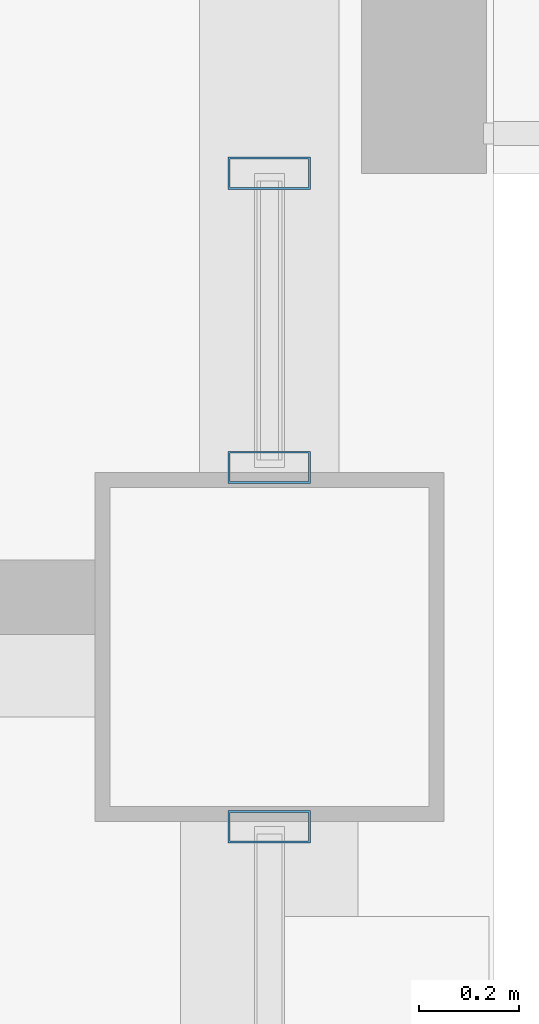
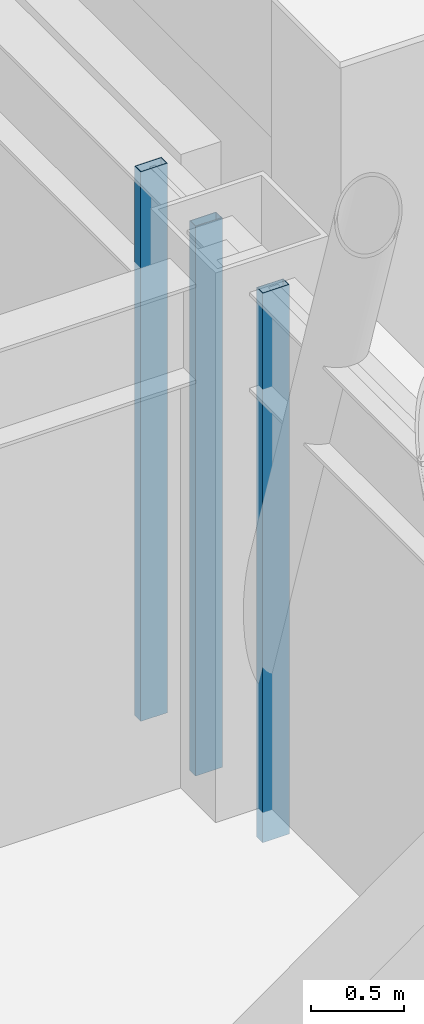
# One storey, part 16 of 33: 3 members, 2 elements without a shape of their own.
"""IFC4 building model written with IfcOpenShell, lengths in metres."""

from ifc_helpers import new_model, si_unit, direction, frame, origin, origin_2d, place, context, subcontext, project, spatial, hollow_rectangle, extrude, material, layer, layer_set, material_profile, profile_set, type_object, element, aggregate, save


model = new_model("IFC4")

# Units and contexts
model_context = context("Model", 3, precision=1e-05, world=origin(), true_north=direction((0.0, 1.0)))
body_context = subcontext(model_context, "Body", "Model", "MODEL_VIEW")
ifc_project = project(units=[si_unit("LENGTHUNIT", "METRE"), si_unit("AREAUNIT", "SQUARE_METRE"), si_unit("VOLUMEUNIT", "CUBIC_METRE"), si_unit("PLANEANGLEUNIT", "RADIAN"), si_unit("MASSUNIT", "GRAM", prefix="KILO")], contexts=[model_context])

# Site, building, storey
site_placement = place(None, origin())
site = spatial("IfcSite", under=ifc_project, at=site_placement, CompositionType="ELEMENT")
building_placement = place(site_placement, origin())
building = spatial("IfcBuilding", under=site, at=building_placement, Name="Brelmoor Portico Tower", CompositionType="ELEMENT")
storey_placement = place(building_placement, frame((0.0, 0.0, 194.699951171875)))
storey = spatial("IfcBuildingStorey", under=building, at=storey_placement, Name="L51", CompositionType="ELEMENT", Elevation=194.699951171875)

# Curtain wall, member
ifc_material = material(Name="Anodised Aluminium Alloy 6063-T6", Category="aluminium")
ifc_layer_1 = layer(ifc_material, 0.179931640625)
ifc_layer_set_1 = layer_set([ifc_layer_1], Name="Anodised Aluminium Alloy 6063-T6")
curtain_wall_type_1 = type_object("IfcCurtainWallType", Name="CW-TOWER-Z3-XB", PredefinedType="NOTDEFINED", material=ifc_layer_set_1)
curtain_wall_1_placement = place(storey_placement, origin())
curtain_wall_1 = element("IfcCurtainWall", 1, at=curtain_wall_1_placement, inside=storey, type_object=curtain_wall_type_1, Name="L51 Curtain Wall CW-L51-4L-1", PredefinedType="NOTDEFINED")
ifc_material_profile = material_profile(ifc_material, hollow_rectangle(XDim=0.06494140625, YDim=0.1650390625, WallThickness=0.00390625, at=origin_2d()), Name="ALU MULLION 65x165")
ifc_profile_set = profile_set([ifc_material_profile], Name="Anodised Aluminium Alloy 6063-T6")
member_type = type_object("IfcMemberType", Name="MB-CW-MULL-165", PredefinedType="MULLION", material=ifc_profile_set)
member_1_placement = place(storey_placement, frame((20.550048828125, -10.110107421875, -0.199951171875), z_axis=(0.0, 0.0, 1.0), x_axis=(0.0, 1.0, 0.0)))
member_1 = element("IfcMember", 2, at=member_1_placement, type_object=member_type, Name="CW-L51-4L-1 Mullion 01", PredefinedType="MULLION", context=body_context, shape_type="SweptSolid", body=[
    extrude(hollow_rectangle(XDim=0.06494140625, YDim=0.1650390625, WallThickness=0.00390625, at=origin_2d()), origin(), (0.0, 0.0, 1.0), 3.60009765625),
])
aggregate(curtain_wall_1, [member_1])

# Curtain wall, members
ifc_layer_2 = layer(ifc_material, 0.179931640625)
ifc_layer_set_2 = layer_set([ifc_layer_2], Name="Anodised Aluminium Alloy 6063-T6")
curtain_wall_type_2 = type_object("IfcCurtainWallType", Name="CW-TOWER-Z3", PredefinedType="NOTDEFINED", material=ifc_layer_set_2)
curtain_wall_2_placement = place(storey_placement, origin())
curtain_wall_2 = element("IfcCurtainWall", 3, at=curtain_wall_2_placement, inside=storey, type_object=curtain_wall_type_2, Name="L51 Curtain Wall CW-L51-4L-2", PredefinedType="NOTDEFINED")
member_2_placement = place(storey_placement, frame((20.550048828125, -9.389892578125, -0.199951171875), z_axis=(0.0, 0.0, 1.0), x_axis=(0.0, 1.0, 0.0)))
member_2 = element("IfcMember", 4, at=member_2_placement, type_object=member_type, Name="CW-L51-4L-2 Mullion 00", PredefinedType="MULLION", context=body_context, shape_type="SweptSolid", body=[
    extrude(hollow_rectangle(XDim=0.06494140625, YDim=0.1650390625, WallThickness=0.00390625, at=origin_2d()), origin(), (0.0, 0.0, 1.0), 3.60009765625),
])
member_3_placement = place(storey_placement, frame((20.550048828125, -8.800048828125, -0.199951171875), z_axis=(0.0, 0.0, 1.0), x_axis=(0.0, 1.0, 0.0)))
member_3 = element("IfcMember", 5, at=member_3_placement, type_object=member_type, Name="CW-L51-4L-2 Mullion 01", PredefinedType="MULLION", context=body_context, shape_type="SweptSolid", body=[
    extrude(hollow_rectangle(XDim=0.06494140625, YDim=0.1650390625, WallThickness=0.00390625, at=origin_2d()), origin(), (0.0, 0.0, 1.0), 3.60009765625),
])
aggregate(curtain_wall_2, [member_2, member_3])

save(model, "model.ifc")
